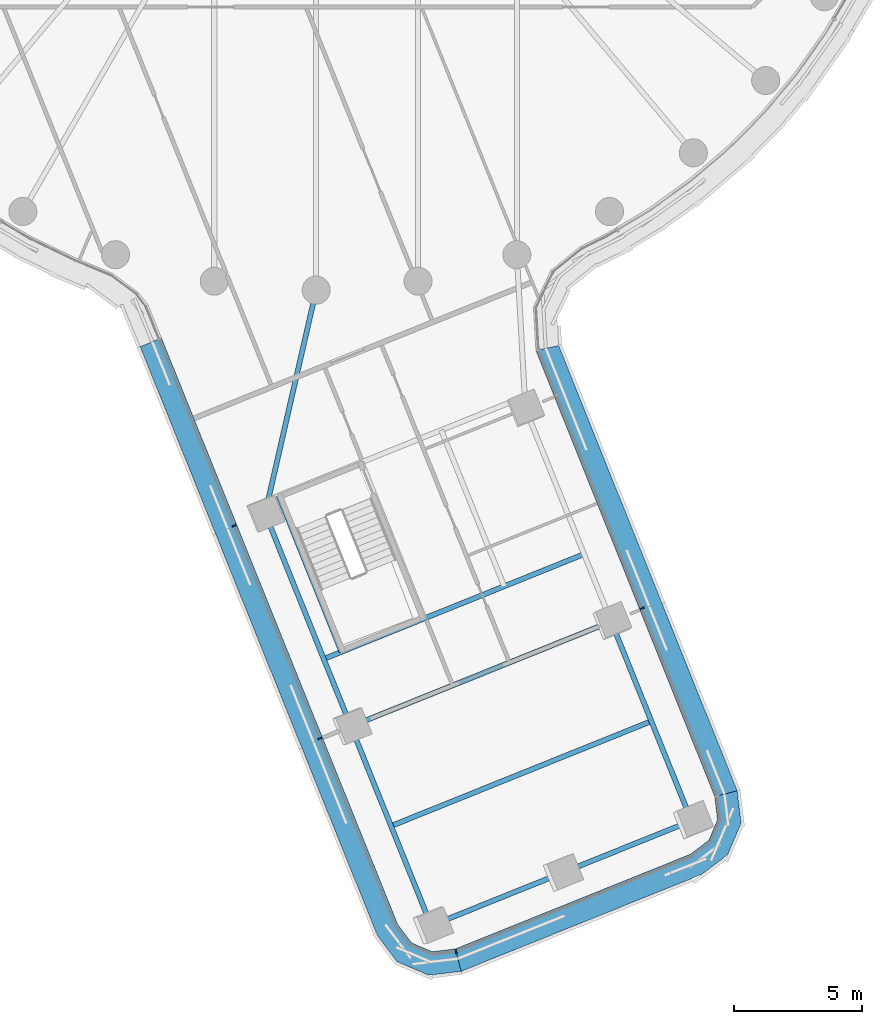
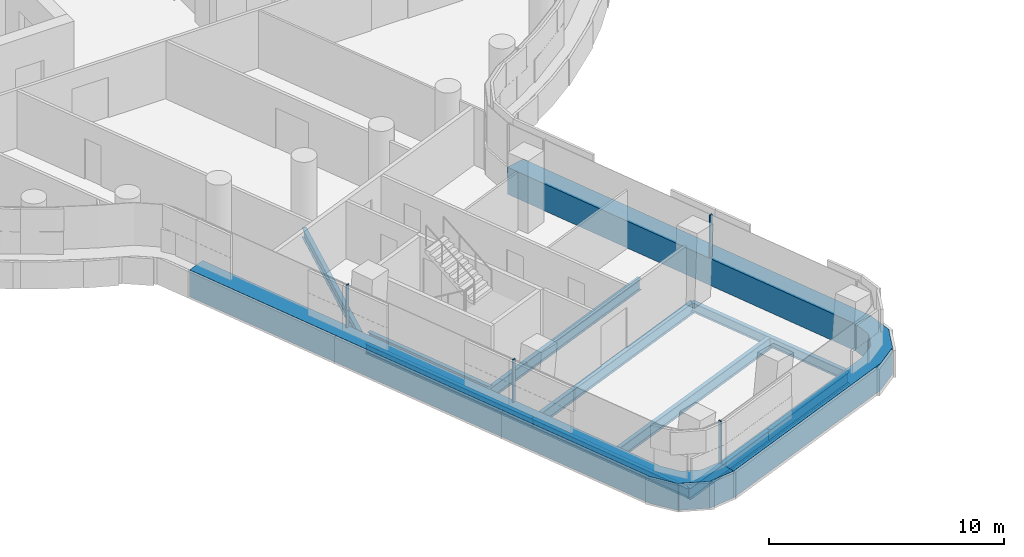
# One storey, part 2 of 32: 10 beams, 7 members, 3 elements without a shape of their own.
"""IFC4 building model written with IfcOpenShell, lengths in metres."""

import ifcopenshell
import ifcopenshell.guid

model = None  # the IFC model being written
_history = None  # IfcOwnerHistory: only IFC2X3 demands one
_inside = {}  # id of a spatial element -> (the spatial element, [elements in it])
_under = {}  # id of a project, library or spatial element -> (it, [spatial elements below it])
_declared = {}  # id of a project -> (the project, [libraries it declares])
_typed = {}  # id of a type object -> (the type object, [elements of that type])
_made_of = {}  # id of a material, layer set ... -> (it, [elements and type objects made of it])


def new_model(schema):
    """Start an empty IFC model of exactly this schema.

    Asked for "IFC4X3", IfcOpenShell would pick the latest addendum, in which some entities
    have other attributes; the version numbers below select the first issue.
    IFC2X3 requires an IfcOwnerHistory on every rooted entity: one is made here for all.
    """
    global model, _history
    if schema == "IFC4X3":
        model = ifcopenshell.file(schema_version=(4, 3, 0, 0))
    else:
        model = ifcopenshell.file(schema=schema)
    _inside.clear()
    _under.clear()
    _declared.clear()
    _typed.clear()
    _made_of.clear()
    _history = None
    if model.schema == "IFC2X3":
        org = make("IfcOrganization", Name="unknown")
        user = make(
            "IfcPersonAndOrganization",
            ThePerson=make("IfcPerson", FamilyName="unknown"),
            TheOrganization=org,
        )
        app = make(
            "IfcApplication",
            ApplicationDeveloper=org,
            Version="unknown",
            ApplicationFullName="unknown",
            ApplicationIdentifier="unknown",
        )
        _history = make(
            "IfcOwnerHistory",
            OwningUser=user,
            OwningApplication=app,
            ChangeAction="ADDED",
            CreationDate=0,
        )
    return model


def make(cls, **values):
    """One entity of the class cls with the attributes given. An attribute that is None is left unset."""
    return model.create_entity(
        cls, **{name: value for name, value in values.items() if value is not None}
    )


def rooted(cls, **values):
    """An entity with a GlobalId (a new one), such as an element, a storey or a relation."""
    return make(cls, GlobalId=ifcopenshell.guid.new(), OwnerHistory=_history, **values)


def si_unit(unit_type, name, prefix=None):
    """IfcSIUnit, for example si_unit("LENGTHUNIT", "METRE", prefix="MILLI")."""
    return make("IfcSIUnit", UnitType=unit_type, Prefix=prefix, Name=name)


def assignment(units):
    """IfcUnitAssignment: the units of a project."""
    return None if units is None else make("IfcUnitAssignment", Units=units)


def point(xyz):
    """IfcCartesianPoint."""
    return None if xyz is None else make("IfcCartesianPoint", Coordinates=xyz)


def direction(xyz):
    """IfcDirection."""
    return None if xyz is None else make("IfcDirection", DirectionRatios=xyz)


def frame(location, z_axis=None, x_axis=None):
    """IfcAxis2Placement3D, a coordinate frame: its origin and axes. An axis left out is left unset."""
    return make(
        "IfcAxis2Placement3D",
        Location=point(location),
        Axis=direction(z_axis),
        RefDirection=direction(x_axis),
    )


def frame_2d(location, x_axis=None):
    """IfcAxis2Placement2D, a coordinate frame in the plane: its origin and x axis."""
    return make(
        "IfcAxis2Placement2D", Location=point(location), RefDirection=direction(x_axis)
    )


def origin():
    """The frame at (0, 0, 0) with its axes left unset."""
    return frame((0.0, 0.0, 0.0))


def origin_2d():
    """The frame at (0, 0) in the plane with its x axis left unset."""
    return frame_2d((0.0, 0.0))


def place(relative_to, where):
    """IfcLocalPlacement: puts the frame where relative to a parent placement (None: the world)."""
    return make(
        "IfcLocalPlacement", PlacementRelTo=relative_to, RelativePlacement=where
    )


def context(
    kind, dimensions, precision=None, world=None, true_north=None, identifier=None
):
    """IfcGeometricRepresentationContext, for example the 3D "Model" context."""
    return make(
        "IfcGeometricRepresentationContext",
        ContextIdentifier=identifier,
        ContextType=kind,
        CoordinateSpaceDimension=dimensions,
        Precision=precision,
        WorldCoordinateSystem=world,
        TrueNorth=true_north,
    )


def subcontext(parent, identifier, kind, view, scale=None):
    """IfcGeometricRepresentationSubContext, for example "Body" below "Model"."""
    return make(
        "IfcGeometricRepresentationSubContext",
        ContextIdentifier=identifier,
        ContextType=kind,
        ParentContext=parent,
        TargetScale=scale,
        TargetView=view,
    )


def project(units=None, contexts=None):
    """IfcProject with its units and contexts."""
    return rooted(
        "IfcProject",
        Name="project",
        RepresentationContexts=contexts,
        UnitsInContext=assignment(units),
    )


def spatial(cls, under=None, at=None, **own):
    """A site, building, storey or space (cls), placed at a placement, below another one or the project."""
    s = rooted(cls, ObjectPlacement=at, **own)
    if under is not None:
        _under.setdefault(under.id(), (under, []))[1].append(s)
    return s


def polyline(points):
    """IfcPolyline through the points."""
    return make("IfcPolyline", Points=[point(p) for p in points])


def profile(cls, at=None, kind="AREA", **sizes):
    """A parametric profile (cls). Its sizes go by their IFC names, for example OverallWidth=200.0."""
    return make(cls, ProfileType=kind, Position=at, **sizes)


def rectangle(**sizes):
    """IfcRectangleProfileDef."""
    return profile("IfcRectangleProfileDef", **sizes)


def i_section(**sizes):
    """IfcIShapeProfileDef."""
    return profile("IfcIShapeProfileDef", **sizes)


def outline(outer, holes=None, kind="AREA"):
    """IfcArbitraryClosedProfileDef: a profile drawn as a closed curve; with holes, ...WithVoids."""
    if holes is None:
        return make("IfcArbitraryClosedProfileDef", ProfileType=kind, OuterCurve=outer)
    return make(
        "IfcArbitraryProfileDefWithVoids",
        ProfileType=kind,
        OuterCurve=outer,
        InnerCurves=holes,
    )


def extrude(swept, where, along, depth):
    """IfcExtrudedAreaSolid: the profile swept, set in the frame where, extruded along a direction by depth."""
    return make(
        "IfcExtrudedAreaSolid",
        SweptArea=swept,
        Position=where,
        ExtrudedDirection=direction(along),
        Depth=depth,
    )


def shape(context_of_items, identifier, shape_type, items):
    """IfcShapeRepresentation: the items that make up one representation, for example the "Body"."""
    return make(
        "IfcShapeRepresentation",
        ContextOfItems=context_of_items,
        RepresentationIdentifier=identifier,
        RepresentationType=shape_type,
        Items=items,
    )


def material(Name=None, Category=None):
    """IfcMaterial."""
    return make("IfcMaterial", Name=Name, Category=Category)


def layer(
    of_material, thickness, ventilated=None, Name=None, Category=None, Priority=None
):
    """IfcMaterialLayer: one layer of a wall or slab, of a material (None: an air gap)."""
    return make(
        "IfcMaterialLayer",
        Material=of_material,
        LayerThickness=thickness,
        IsVentilated=ventilated,
        Name=Name,
        Category=Category,
        Priority=Priority,
    )


def layer_set(layers, Name=None):
    """IfcMaterialLayerSet."""
    return make("IfcMaterialLayerSet", MaterialLayers=layers, LayerSetName=Name)


def material_profile(
    of_material, cross_section, Name=None, Category=None, Priority=None
):
    """IfcMaterialProfile: a cross section and its material."""
    return make(
        "IfcMaterialProfile",
        Name=Name,
        Material=of_material,
        Profile=cross_section,
        Priority=Priority,
        Category=Category,
    )


def profile_set(profiles, Name=None, composite=None):
    """IfcMaterialProfileSet."""
    return make(
        "IfcMaterialProfileSet",
        Name=Name,
        MaterialProfiles=profiles,
        CompositeProfile=composite,
    )


def made_of(thing, what):
    """Note that an element or type object is made of a material, layer set ...; save() writes the relation."""
    if what is not None:
        _made_of.setdefault(what.id(), (what, []))[1].append(thing)
    return thing


def type_object(cls, material=None, **own):
    """A type object (cls), such as IfcWallType, which elements share."""
    return made_of(rooted(cls, **own), material)


def element(
    cls,
    number,
    at=None,
    inside=None,
    cuts=None,
    type_object=None,
    material=None,
    context=None,
    identifier="Body",
    shape_type=None,
    held_by="IfcProductDefinitionShape",
    body=None,
    shapes=None,
    **own,
):
    """One element of the class cls, such as IfcWall. Its Tag is "e" and its number.

    at: its placement. inside: the storey or other place that contains it. cuts: it is an
    opening in that element (IfcRelVoidsElement). A single representation is given by context,
    identifier, shape_type and body (its items); several are given by shapes. held_by: the class
    of the entity that holds the representations. save() writes the other relations.
    """
    e = rooted(cls, Tag="e%d" % number, ObjectPlacement=at, **own)
    if body is not None:
        shapes = [shape(context, identifier, shape_type, body)]
    if shapes is not None:
        e.Representation = make(held_by, Representations=shapes)
    if inside is not None:
        _inside.setdefault(inside.id(), (inside, []))[1].append(e)
    if cuts is not None:
        rooted(
            "IfcRelVoidsElement", RelatingBuildingElement=cuts, RelatedOpeningElement=e
        )
    if type_object is not None:
        _typed.setdefault(type_object.id(), (type_object, []))[1].append(e)
    return made_of(e, material)


def aggregate(whole, parts):
    """IfcRelAggregates: a whole, such as a stair, and the parts it consists of."""
    return rooted("IfcRelAggregates", RelatingObject=whole, RelatedObjects=parts)


def save(model, path):
    """Write the relations noted so far, then the file.

    IfcRelAggregates (storeys below a building ...), IfcRelContainedInSpatialStructure (elements
    in a storey), IfcRelDefinesByType, IfcRelAssociatesMaterial and IfcRelDeclares: one each for
    every whole, place, type object, material and project.
    """
    for whole, parts in _under.values():
        aggregate(whole, parts)
    for where, things in _inside.values():
        rooted(
            "IfcRelContainedInSpatialStructure",
            RelatedElements=things,
            RelatingStructure=where,
        )
    for kind, things in _typed.values():
        rooted("IfcRelDefinesByType", RelatedObjects=things, RelatingType=kind)
    for what, things in _made_of.values():
        rooted("IfcRelAssociatesMaterial", RelatedObjects=things, RelatingMaterial=what)
    for by, libraries in _declared.values():
        rooted("IfcRelDeclares", RelatingContext=by, RelatedDefinitions=libraries)
    model.write(path)


model = new_model("IFC4")

# Units and contexts
model_context = context("Model", 3, precision=1e-05, world=origin(), true_north=direction((0.0, 1.0)))
body_context = subcontext(model_context, "Body", "Model", "MODEL_VIEW")
ifc_project = project(units=[si_unit("LENGTHUNIT", "METRE"), si_unit("AREAUNIT", "SQUARE_METRE"), si_unit("VOLUMEUNIT", "CUBIC_METRE"), si_unit("PLANEANGLEUNIT", "RADIAN"), si_unit("MASSUNIT", "GRAM", prefix="KILO")], contexts=[model_context])

# Site, building, storey
site_placement = place(None, origin())
site = spatial("IfcSite", under=ifc_project, at=site_placement, CompositionType="ELEMENT")
building_placement = place(site_placement, origin())
building = spatial("IfcBuilding", under=site, at=building_placement, Name="Tamarind Cross Interchange Tower", CompositionType="ELEMENT")
storey_placement = place(building_placement, frame((0.0, 0.0, 113.5)))
storey = spatial("IfcBuildingStorey", under=building, at=storey_placement, Name="L27", CompositionType="ELEMENT", Elevation=113.5)

# Beams
ifc_material_1 = material(Name="Steel Q355B", Category="steel")
ifc_material_profile_1 = material_profile(ifc_material_1, i_section(OverallWidth=0.198974609375, OverallDepth=0.49609375, WebThickness=0.009033203125, FlangeThickness=0.013916015625, FilletRadius=0.012939453125, at=origin_2d()), Name="HN 496x199x9x14")
ifc_profile_set_1 = profile_set([ifc_material_profile_1], Name="Steel Q355B")
beam_type_1 = type_object("IfcBeamType", Name="Composite beam HN 496x199x9x14 Q355B", PredefinedType="BEAM", material=ifc_profile_set_1)
beam_1_placement = place(storey_placement, frame((4.5087890625, -47.91259765625, -0.387939453125), z_axis=(-0.373644105427, 0.927572144084, 0.0), x_axis=(-0.927572144084, -0.373644105427, 0.0)))
element("IfcBeam", 1, at=beam_1_placement, inside=storey, type_object=beam_type_1, Name="Beam S-edgeem5", PredefinedType="BEAM", context=body_context, shape_type="SweptSolid", body=[
    extrude(i_section(OverallWidth=0.198974609375, OverallDepth=0.49609375, WebThickness=0.009033203125, FlangeThickness=0.013916015625, FilletRadius=0.012939453125, at=origin_2d()), origin(), (0.0, 0.0, 1.0), 8.42041015625),
])
beam_2_placement = place(storey_placement, frame((1.362548828125, -40.10205078125, -0.387939453125), z_axis=(-0.37364390845, 0.92757222343, 0.0), x_axis=(-0.92757222343, -0.37364390845, 0.0)))
element("IfcBeam", 2, at=beam_2_placement, inside=storey, type_object=beam_type_1, Name="Beam S-edgeem6", PredefinedType="BEAM", context=body_context, shape_type="SweptSolid", body=[
    extrude(i_section(OverallWidth=0.198974609375, OverallDepth=0.49609375, WebThickness=0.009033203125, FlangeThickness=0.013916015625, FilletRadius=0.012939453125, at=origin_2d()), origin(), (0.0, 0.0, 1.0), 9.0),
])
beam_3_placement = place(storey_placement, frame((14.712158203125, -43.802490234375, -0.387939453125), z_axis=(-0.373669051066, 0.927562095105, 0.0), x_axis=(-0.927562095105, -0.373669051066, 0.0)))
element("IfcBeam", 3, at=beam_3_placement, inside=storey, type_object=beam_type_1, Name="Beam S-edgeep2", PredefinedType="BEAM", context=body_context, shape_type="SweptSolid", body=[
    extrude(i_section(OverallWidth=0.198974609375, OverallDepth=0.49609375, WebThickness=0.009033203125, FlangeThickness=0.013916015625, FilletRadius=0.012939453125, at=origin_2d()), origin(), (0.0, 0.0, 1.0), 8.42041015625),
])
beam_4_placement = place(storey_placement, frame((-2.000244140625, -31.75390625, -0.387939453125), z_axis=(0.222756143951, 0.974874197182, 0.0), x_axis=(-0.974874197182, 0.222756143951, 0.0)))
element("IfcBeam", 4, at=beam_4_placement, inside=storey, type_object=beam_type_1, Name="Beam S-linkem", PredefinedType="BEAM", context=body_context, shape_type="SweptSolid", body=[
    extrude(i_section(OverallWidth=0.198974609375, OverallDepth=0.49609375, WebThickness=0.009033203125, FlangeThickness=0.013916015625, FilletRadius=0.012939453125, at=origin_2d()), origin(), (0.0, 0.0, 1.0), 8.9794921875),
])
beam_5_placement = place(storey_placement, frame((-1.472900390625, -31.05615234375, -0.387939453125), z_axis=(0.373640902107, -0.927573434437, 0.0), x_axis=(0.927573434437, 0.373640902107, 0.0)))
element("IfcBeam", 5, at=beam_5_placement, inside=storey, type_object=beam_type_1, Name="Beam S-tr0", PredefinedType="BEAM", context=body_context, shape_type="SweptSolid", body=[
    extrude(i_section(OverallWidth=0.198974609375, OverallDepth=0.49609375, WebThickness=0.009033203125, FlangeThickness=0.013916015625, FilletRadius=0.012939453125, at=origin_2d()), origin(), (0.0, 0.0, 1.0), 6.60009765625),
])
ifc_material_profile_2 = material_profile(ifc_material_1, i_section(OverallWidth=0.199951171875, OverallDepth=0.60009765625, WebThickness=0.010986328125, FlangeThickness=0.01708984375, FilletRadius=0.012939453125, at=origin_2d()), Name="HN 600x200x11x17")
ifc_profile_set_2 = profile_set([ifc_material_profile_2], Name="Steel Q355B")
beam_type_2 = type_object("IfcBeamType", Name="Composite beam HN 600x200x11x17 Q355B", PredefinedType="BEAM", material=ifc_profile_set_2)
beam_6_placement = place(storey_placement, frame((4.5087890625, -47.91259765625, -0.43994140625), z_axis=(0.927576995285, 0.373632062084, 0.0), x_axis=(-0.373632062084, 0.927576995285, 0.0)))
element("IfcBeam", 6, at=beam_6_placement, inside=storey, type_object=beam_type_2, Name="Beam S-tip0", PredefinedType="BEAM", context=body_context, shape_type="SweptSolid", body=[
    extrude(i_section(OverallWidth=0.199951171875, OverallDepth=0.60009765625, WebThickness=0.010986328125, FlangeThickness=0.01708984375, FilletRadius=0.012939453125, at=origin_2d()), origin(), (0.0, 0.0, 1.0), 5.5),
])
beam_7_placement = place(storey_placement, frame((9.6103515625, -45.857666015625, -0.43994140625), z_axis=(0.927567808032, 0.373654869503, 0.0), x_axis=(-0.373654869503, 0.927567808032, 0.0)))
element("IfcBeam", 7, at=beam_7_placement, inside=storey, type_object=beam_type_2, Name="Beam S-tip1", PredefinedType="BEAM", context=body_context, shape_type="SweptSolid", body=[
    extrude(i_section(OverallWidth=0.199951171875, OverallDepth=0.60009765625, WebThickness=0.010986328125, FlangeThickness=0.01708984375, FilletRadius=0.012939453125, at=origin_2d()), origin(), (0.0, 0.0, 1.0), 5.500244140625),
])
beam_8_placement = place(storey_placement, frame((0.297607421875, -37.45849609375, -0.43994140625), z_axis=(0.927572401596, 0.373643466151, 0.0), x_axis=(-0.373643466151, 0.927572401596, 0.0)))
element("IfcBeam", 8, at=beam_8_placement, inside=storey, type_object=beam_type_2, Name="Beam S-x364", PredefinedType="BEAM", context=body_context, shape_type="SweptSolid", body=[
    extrude(i_section(OverallWidth=0.199951171875, OverallDepth=0.60009765625, WebThickness=0.010986328125, FlangeThickness=0.01708984375, FilletRadius=0.012939453125, at=origin_2d()), origin(), (0.0, 0.0, 1.0), 11.0),
])
beam_9_placement = place(storey_placement, frame((1.362548828125, -40.10205078125, -0.43994140625), z_axis=(0.927569302946, 0.373651158478, 0.0), x_axis=(-0.373651158478, 0.927569302946, 0.0)))
element("IfcBeam", 9, at=beam_9_placement, inside=storey, type_object=beam_type_2, Name="Beam S-x393", PredefinedType="BEAM", context=body_context, shape_type="SweptSolid", body=[
    extrude(i_section(OverallWidth=0.199951171875, OverallDepth=0.60009765625, WebThickness=0.010986328125, FlangeThickness=0.01708984375, FilletRadius=0.012939453125, at=origin_2d()), origin(), (0.0, 0.0, 1.0), 10.999755859375),
])
beam_10_placement = place(storey_placement, frame((2.935546875, -44.00732421875, -0.43994140625), z_axis=(0.927572401596, 0.373643466151, 0.0), x_axis=(-0.373643466151, 0.927572401596, 0.0)))
element("IfcBeam", 10, at=beam_10_placement, inside=storey, type_object=beam_type_2, Name="Beam S-x435", PredefinedType="BEAM", context=body_context, shape_type="SweptSolid", body=[
    extrude(i_section(OverallWidth=0.199951171875, OverallDepth=0.60009765625, WebThickness=0.010986328125, FlangeThickness=0.01708984375, FilletRadius=0.012939453125, at=origin_2d()), origin(), (0.0, 0.0, 1.0), 11.0),
])

# Curtain wall, member
ifc_material_2 = material(Name="Aluminium 6063-T6", Category="aluminium")
ifc_layer = layer(ifc_material_2, 0.159912109375)
ifc_layer_set = layer_set([ifc_layer], Name="Aluminium 6063-T6")
curtain_wall_type = type_object("IfcCurtainWallType", Name="Office curtain wall, 9.0 m bays", PredefinedType="NOTDEFINED", material=ifc_layer_set)
curtain_wall_1_placement = place(storey_placement, origin())
curtain_wall_1 = element("IfcCurtainWall", 11, at=curtain_wall_1_placement, inside=storey, type_object=curtain_wall_type, Name="CWS-L27-03", PredefinedType="NOTDEFINED")
ifc_material_3 = material(Name="Aluminium and insulated spandrel panel", Category="aluminium")
member_type_1 = type_object("IfcMemberType", Name="Floor-edge blade transom", PredefinedType="USERDEFINED", material=ifc_material_3)
member_1_placement = place(storey_placement, origin())
member_1 = element("IfcMember", 12, at=member_1_placement, type_object=member_type_1, Name="CWT-L27-03", ObjectType="TRANSOM", PredefinedType="USERDEFINED", context=body_context, shape_type="SweptSolid", body=[
    extrude(outline(polyline([(-6.06396484375, -24.87744140625), (3.194091796875, -47.860595703125), (3.744384765625, -48.59228515625), (4.548828125, -48.934814453125), (5.45751953125, -48.82421875), (5.68408203125, -49.703369140625), (4.418212890625, -49.857421875), (3.169921875, -49.325927734375), (2.403564453125, -48.306884765625), (-6.8984375, -25.215087890625), (-6.06396484375, -24.87744140625)])), origin(), (0.0, 0.0, 1.0), 1.39990234375),
])

curtain_wall_2_placement = place(storey_placement, origin())
curtain_wall_2 = element("IfcCurtainWall", 13, at=curtain_wall_2_placement, inside=storey, type_object=curtain_wall_type, Name="CWS-L27-04", PredefinedType="NOTDEFINED")
member_2_placement = place(storey_placement, origin())
member_2 = element("IfcMember", 14, at=member_2_placement, type_object=member_type_1, Name="CWT-L27-04", ObjectType="TRANSOM", PredefinedType="USERDEFINED", context=body_context, shape_type="SweptSolid", body=[
    extrude(outline(polyline([(5.45751953125, -48.82421875), (14.66015625, -45.1171875), (15.3916015625, -44.567138671875), (15.734130859375, -43.762451171875), (15.62353515625, -42.853515625), (16.502685546875, -42.6279296875), (16.65673828125, -43.89306640625), (16.125244140625, -45.1416015625), (15.106201171875, -45.90771484375), (5.68408203125, -49.703369140625), (5.45751953125, -48.82421875)])), origin(), (0.0, 0.0, 1.0), 1.39990234375),
])

curtain_wall_3_placement = place(storey_placement, origin())
curtain_wall_3 = element("IfcCurtainWall", 15, at=curtain_wall_3_placement, inside=storey, type_object=curtain_wall_type, Name="CWS-L27-05", PredefinedType="NOTDEFINED")
member_3_placement = place(storey_placement, origin())
member_3 = element("IfcMember", 16, at=member_3_placement, type_object=member_type_1, Name="CWT-L27-05", ObjectType="TRANSOM", PredefinedType="USERDEFINED", context=body_context, shape_type="SweptSolid", body=[
    extrude(outline(polyline([(15.62353515625, -42.853515625), (8.61376953125, -25.369384765625), (9.50390625, -25.171142578125), (16.502685546875, -42.6279296875), (15.62353515625, -42.853515625)])), origin(), (0.0, 0.0, 1.0), 1.39990234375),
])

# Member
ifc_material_profile_3 = material_profile(ifc_material_2, rectangle(XDim=0.06005859375, YDim=0.159912109375, at=origin_2d()), Name="Mullion CW1")
ifc_profile_set_3 = profile_set([ifc_material_profile_3], Name="Aluminium 6063-T6")
member_type_2 = type_object("IfcMemberType", Name="Mullion CW1", PredefinedType="MULLION", material=ifc_profile_set_3)
member_4_placement = place(storey_placement, frame((-3.20947265625, -32.231689453125, 1.39990234375), z_axis=(0.0, 0.0, 1.0), x_axis=(0.373648394893, -0.927570416192, 0.0)))
member_4 = element("IfcMember", 17, at=member_4_placement, type_object=member_type_2, Name="CWM-L27-03-01", PredefinedType="MULLION", context=body_context, shape_type="SweptSolid", body=[
    extrude(rectangle(XDim=0.06005859375, YDim=0.159912109375, at=origin_2d()), origin(), (0.0, 0.0, 1.0), 2.210205078125),
])

member_5_placement = place(storey_placement, frame((0.14990234375, -40.571044921875, 1.39990234375), z_axis=(0.0, 0.0, 1.0), x_axis=(0.373648394893, -0.927570416192, 0.0)))
member_5 = element("IfcMember", 18, at=member_5_placement, type_object=member_type_2, Name="CWM-L27-03-02", PredefinedType="MULLION", context=body_context, shape_type="SweptSolid", body=[
    extrude(rectangle(XDim=0.06005859375, YDim=0.159912109375, at=origin_2d()), origin(), (0.0, 0.0, 1.0), 2.210205078125),
])

aggregate(curtain_wall_1, [member_4, member_5, member_1])

member_6_placement = place(storey_placement, frame((5.482666015625, -48.921875, 1.39990234375), z_axis=(0.0, 0.0, 1.0), x_axis=(0.96840582491, 0.249379546636, 0.0)))
member_6 = element("IfcMember", 19, at=member_6_placement, type_object=member_type_2, Name="CWM-L27-04-00", PredefinedType="MULLION", context=body_context, shape_type="SweptSolid", body=[
    extrude(rectangle(XDim=0.06005859375, YDim=0.159912109375, at=origin_2d()), origin(), (0.0, 0.0, 1.0), 2.210205078125),
])

aggregate(curtain_wall_2, [member_6, member_2])

member_7_placement = place(storey_placement, frame((12.772705078125, -35.47412109375, 1.39990234375), z_axis=(0.0, 0.0, 1.0), x_axis=(-0.372124229448, 0.928182933401, 0.0)))
member_7 = element("IfcMember", 20, at=member_7_placement, type_object=member_type_2, Name="CWM-L27-05-01", PredefinedType="MULLION", context=body_context, shape_type="SweptSolid", body=[
    extrude(rectangle(XDim=0.06005859375, YDim=0.159912109375, at=origin_2d()), origin(), (0.0, 0.0, 1.0), 2.210205078125),
])

aggregate(curtain_wall_3, [member_7, member_3])

save(model, "model.ifc")
